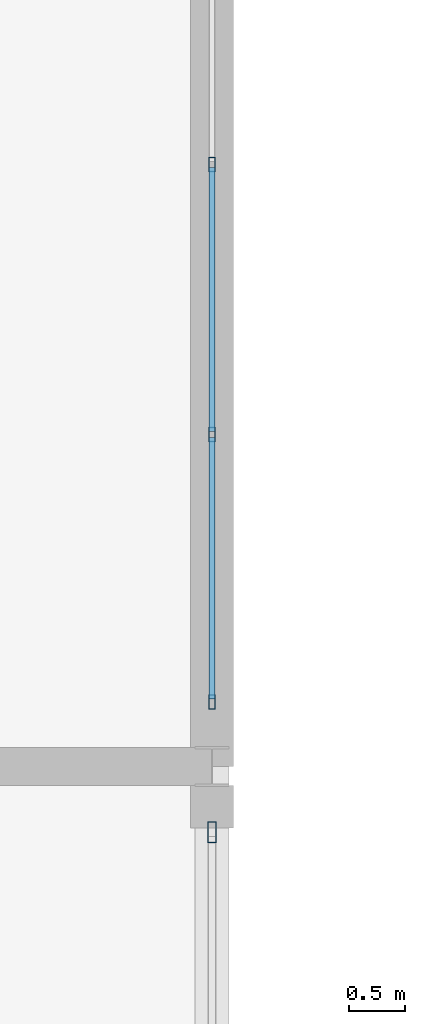
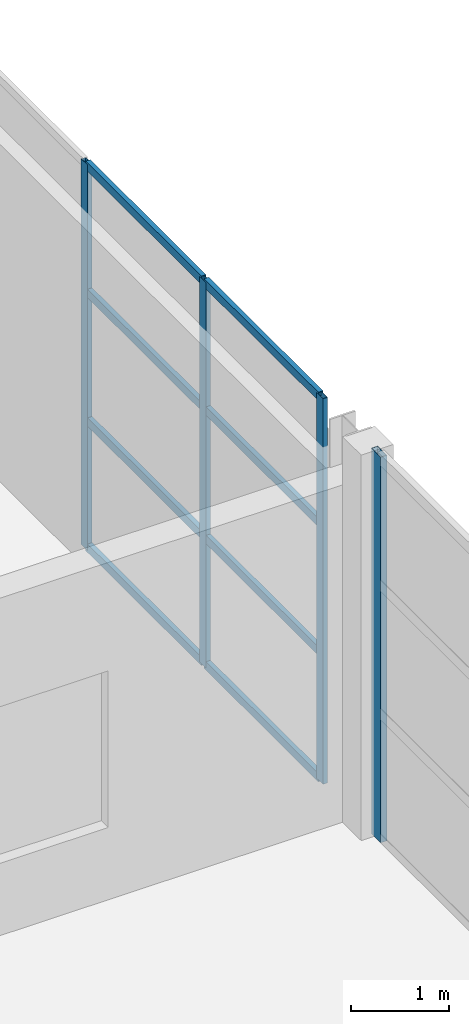
# One storey, part 43 of 147: 12 members, 2 elements without a shape of their own.
"""IFC4 building model written with IfcOpenShell, lengths in metres."""

from ifc_helpers import new_model, si_unit, direction, frame, origin, origin_2d, place, context, subcontext, project, spatial, hollow_rectangle, extrude, material, layer, layer_set, material_profile, profile_set, type_object, element, aggregate, save


model = new_model("IFC4")

# Units and contexts
model_context = context("Model", 3, precision=1e-05, world=origin(), true_north=direction((0.0, 1.0)))
body_context = subcontext(model_context, "Body", "Model", "MODEL_VIEW")
ifc_project = project(units=[si_unit("LENGTHUNIT", "METRE"), si_unit("AREAUNIT", "SQUARE_METRE"), si_unit("VOLUMEUNIT", "CUBIC_METRE"), si_unit("PLANEANGLEUNIT", "RADIAN"), si_unit("MASSUNIT", "GRAM", prefix="KILO")], contexts=[model_context])

# Site, building, storey
site_placement = place(None, origin())
site = spatial("IfcSite", under=ifc_project, at=site_placement, CompositionType="ELEMENT")
building_placement = place(site_placement, origin())
building = spatial("IfcBuilding", under=site, at=building_placement, Name="Zilviju Railside Exhibition Hall", CompositionType="ELEMENT")
storey_placement = place(building_placement, frame((0.0, 0.0, 8.39990234375)))
storey = spatial("IfcBuildingStorey", under=building, at=storey_placement, Name="L03", CompositionType="ELEMENT", Elevation=8.39990234375)

# Curtain wall, members
ifc_material_1 = material(Name="Thermally broken aluminium-steel triple-glazed curtain wall", Category="steel")
ifc_layer_1 = layer(ifc_material_1, 0.179931640625)
ifc_layer_set_1 = layer_set([ifc_layer_1], Name="Thermally broken aluminium-steel triple-glazed curtain wall")
curtain_wall_type_1 = type_object("IfcCurtainWallType", Name="CW-BAY-20", PredefinedType="USERDEFINED", material=ifc_layer_set_1)
curtain_wall_1_placement = place(storey_placement, origin())
curtain_wall_1 = element("IfcCurtainWall", 1, at=curtain_wall_1_placement, inside=storey, type_object=curtain_wall_type_1, Name="South Hall West Upper Glazed Gable (18..36)", ObjectType="GLAZED CURTAIN WALL", PredefinedType="USERDEFINED")
ifc_material_2 = material(Name="Thermally broken anodized aluminium mullion", Category="aluminium")
ifc_material_profile_1 = material_profile(ifc_material_2, hollow_rectangle(XDim=0.054931640625, YDim=0.1298828125, WallThickness=0.0048828125, at=origin_2d()), Name="MULLION 130x55x5")
ifc_profile_set_1 = profile_set([ifc_material_profile_1], Name="Thermally broken anodized aluminium mullion")
member_type_1 = type_object("IfcMemberType", Name="CWM-55x130", PredefinedType="MULLION", material=ifc_profile_set_1)
member_1_placement = place(storey_placement, frame((78.0, 18.577392578125, 0.0), z_axis=(0.0, 0.0, 1.0), x_axis=(-1.0, 0.0, 0.0)))
member_1 = element("IfcMember", 2, at=member_1_placement, type_object=member_type_1, Name="CW-20 mullion 1", PredefinedType="MULLION", context=body_context, shape_type="SweptSolid", body=[
    extrude(hollow_rectangle(XDim=0.054931640625, YDim=0.1298828125, WallThickness=0.0048828125, at=origin_2d()), origin(), (0.0, 0.0, 1.0), 4.800048828125),
])
member_2_placement = place(storey_placement, frame((78.0, 20.96435546875, 0.0), z_axis=(0.0, 0.0, 1.0), x_axis=(-1.0, 0.0, 0.0)))
member_2 = element("IfcMember", 3, at=member_2_placement, type_object=member_type_1, Name="CW-20 mullion 2", PredefinedType="MULLION", context=body_context, shape_type="SweptSolid", body=[
    extrude(hollow_rectangle(XDim=0.054931640625, YDim=0.1298828125, WallThickness=0.0048828125, at=origin_2d()), origin(), (0.0, 0.0, 1.0), 4.800048828125),
])
member_3_placement = place(storey_placement, frame((78.0, 23.378662109375, 0.0), z_axis=(0.0, 0.0, 1.0), x_axis=(-1.0, 0.0, 0.0)))
member_3 = element("IfcMember", 4, at=member_3_placement, type_object=member_type_1, Name="CW-20 mullion 3", PredefinedType="MULLION", context=body_context, shape_type="SweptSolid", body=[
    extrude(hollow_rectangle(XDim=0.054931640625, YDim=0.1298828125, WallThickness=0.0048828125, at=origin_2d()), origin(), (0.0, 0.0, 1.0), 4.800048828125),
])

# Curtain wall, member
ifc_layer_2 = layer(ifc_material_1, 0.179931640625)
ifc_layer_set_2 = layer_set([ifc_layer_2], Name="Thermally broken aluminium-steel triple-glazed curtain wall")
curtain_wall_type_2 = type_object("IfcCurtainWallType", Name="CW-BAY-19", PredefinedType="USERDEFINED", material=ifc_layer_set_2)
curtain_wall_2_placement = place(storey_placement, origin())
curtain_wall_2 = element("IfcCurtainWall", 5, at=curtain_wall_2_placement, inside=storey, type_object=curtain_wall_type_2, Name="South Hall West Upper Glazed Gable (0..18)", ObjectType="GLAZED CURTAIN WALL", PredefinedType="USERDEFINED")
ifc_material_profile_2 = material_profile(ifc_material_2, hollow_rectangle(XDim=0.074951171875, YDim=0.18994140625, WallThickness=0.0048828125, at=origin_2d()), Name="MULLION 190x75x5")
ifc_profile_set_2 = profile_set([ifc_material_profile_2], Name="Thermally broken anodized aluminium mullion")
member_type_2 = type_object("IfcMemberType", Name="CWM-75x190", PredefinedType="MULLION", material=ifc_profile_set_2)
member_4_placement = place(storey_placement, frame((78.0, 17.41259765625, 0.0), z_axis=(0.0, 0.0, 1.0), x_axis=(-1.0, 0.0, 0.0)))
member_4 = element("IfcMember", 6, at=member_4_placement, type_object=member_type_2, Name="CW-19 mullion 7", PredefinedType="MULLION", context=body_context, shape_type="SweptSolid", body=[
    extrude(hollow_rectangle(XDim=0.074951171875, YDim=0.18994140625, WallThickness=0.0048828125, at=origin_2d()), origin(), (0.0, 0.0, 1.0), 4.800048828125),
])
aggregate(curtain_wall_2, [member_4])

# Member
ifc_material_3 = material(Name="Thermally broken anodized aluminium transom", Category="aluminium")
ifc_material_profile_3 = material_profile(ifc_material_3, hollow_rectangle(XDim=0.054931640625, YDim=0.10498046875, WallThickness=0.0048828125, at=origin_2d()), Name="TRANSOM 105x55x5")
ifc_profile_set_3 = profile_set([ifc_material_profile_3], Name="Thermally broken anodized aluminium transom")
member_type_3 = type_object("IfcMemberType", Name="CWT-55x105", PredefinedType="USERDEFINED", material=ifc_profile_set_3)
member_5_placement = place(storey_placement, frame((78.0, 18.60498046875, 0.027587890625), z_axis=(0.0, 1.0, 0.0), x_axis=(-1.0, 0.0, 0.0)))
member_5 = element("IfcMember", 7, at=member_5_placement, type_object=member_type_3, Name="CW-20 transom 1.1", ObjectType="TRANSOM", PredefinedType="USERDEFINED", context=body_context, shape_type="SweptSolid", body=[
    extrude(hollow_rectangle(XDim=0.054931640625, YDim=0.10498046875, WallThickness=0.0048828125, at=origin_2d()), origin(), (0.0, 0.0, 1.0), 2.331787109375),
])

member_6_placement = place(storey_placement, frame((78.0, 18.60498046875, 1.60009765625), z_axis=(0.0, 1.0, 0.0), x_axis=(-1.0, 0.0, 0.0)))
member_6 = element("IfcMember", 8, at=member_6_placement, type_object=member_type_3, Name="CW-20 transom 1.2", ObjectType="TRANSOM", PredefinedType="USERDEFINED", context=body_context, shape_type="SweptSolid", body=[
    extrude(hollow_rectangle(XDim=0.054931640625, YDim=0.10498046875, WallThickness=0.0048828125, at=origin_2d()), origin(), (0.0, 0.0, 1.0), 2.331787109375),
])

member_7_placement = place(storey_placement, frame((78.0, 18.60498046875, 3.2001953125), z_axis=(0.0, 1.0, 0.0), x_axis=(-1.0, 0.0, 0.0)))
member_7 = element("IfcMember", 9, at=member_7_placement, type_object=member_type_3, Name="CW-20 transom 1.3", ObjectType="TRANSOM", PredefinedType="USERDEFINED", context=body_context, shape_type="SweptSolid", body=[
    extrude(hollow_rectangle(XDim=0.054931640625, YDim=0.10498046875, WallThickness=0.0048828125, at=origin_2d()), origin(), (0.0, 0.0, 1.0), 2.331787109375),
])

member_8_placement = place(storey_placement, frame((78.0, 18.60498046875, 4.772705078125), z_axis=(0.0, 1.0, 0.0), x_axis=(-1.0, 0.0, 0.0)))
member_8 = element("IfcMember", 10, at=member_8_placement, type_object=member_type_3, Name="CW-20 transom 1.4", ObjectType="TRANSOM", PredefinedType="USERDEFINED", context=body_context, shape_type="SweptSolid", body=[
    extrude(hollow_rectangle(XDim=0.054931640625, YDim=0.10498046875, WallThickness=0.0048828125, at=origin_2d()), origin(), (0.0, 0.0, 1.0), 2.331787109375),
])

member_9_placement = place(storey_placement, frame((78.0, 20.99169921875, 0.027587890625), z_axis=(0.0, 1.0, 0.0), x_axis=(-1.0, 0.0, 0.0)))
member_9 = element("IfcMember", 11, at=member_9_placement, type_object=member_type_3, Name="CW-20 transom 2.1", ObjectType="TRANSOM", PredefinedType="USERDEFINED", context=body_context, shape_type="SweptSolid", body=[
    extrude(hollow_rectangle(XDim=0.054931640625, YDim=0.10498046875, WallThickness=0.0048828125, at=origin_2d()), origin(), (0.0, 0.0, 1.0), 2.359375),
])

member_10_placement = place(storey_placement, frame((78.0, 20.99169921875, 1.60009765625), z_axis=(0.0, 1.0, 0.0), x_axis=(-1.0, 0.0, 0.0)))
member_10 = element("IfcMember", 12, at=member_10_placement, type_object=member_type_3, Name="CW-20 transom 2.2", ObjectType="TRANSOM", PredefinedType="USERDEFINED", context=body_context, shape_type="SweptSolid", body=[
    extrude(hollow_rectangle(XDim=0.054931640625, YDim=0.10498046875, WallThickness=0.0048828125, at=origin_2d()), origin(), (0.0, 0.0, 1.0), 2.359375),
])

member_11_placement = place(storey_placement, frame((78.0, 20.99169921875, 3.2001953125), z_axis=(0.0, 1.0, 0.0), x_axis=(-1.0, 0.0, 0.0)))
member_11 = element("IfcMember", 13, at=member_11_placement, type_object=member_type_3, Name="CW-20 transom 2.3", ObjectType="TRANSOM", PredefinedType="USERDEFINED", context=body_context, shape_type="SweptSolid", body=[
    extrude(hollow_rectangle(XDim=0.054931640625, YDim=0.10498046875, WallThickness=0.0048828125, at=origin_2d()), origin(), (0.0, 0.0, 1.0), 2.359375),
])

member_12_placement = place(storey_placement, frame((78.0, 20.99169921875, 4.772705078125), z_axis=(0.0, 1.0, 0.0), x_axis=(-1.0, 0.0, 0.0)))
member_12 = element("IfcMember", 14, at=member_12_placement, type_object=member_type_3, Name="CW-20 transom 2.4", ObjectType="TRANSOM", PredefinedType="USERDEFINED", context=body_context, shape_type="SweptSolid", body=[
    extrude(hollow_rectangle(XDim=0.054931640625, YDim=0.10498046875, WallThickness=0.0048828125, at=origin_2d()), origin(), (0.0, 0.0, 1.0), 2.359375),
])

aggregate(curtain_wall_1, [member_1, member_2, member_3, member_5, member_6, member_7, member_8, member_9, member_10, member_11, member_12])

save(model, "model.ifc")
